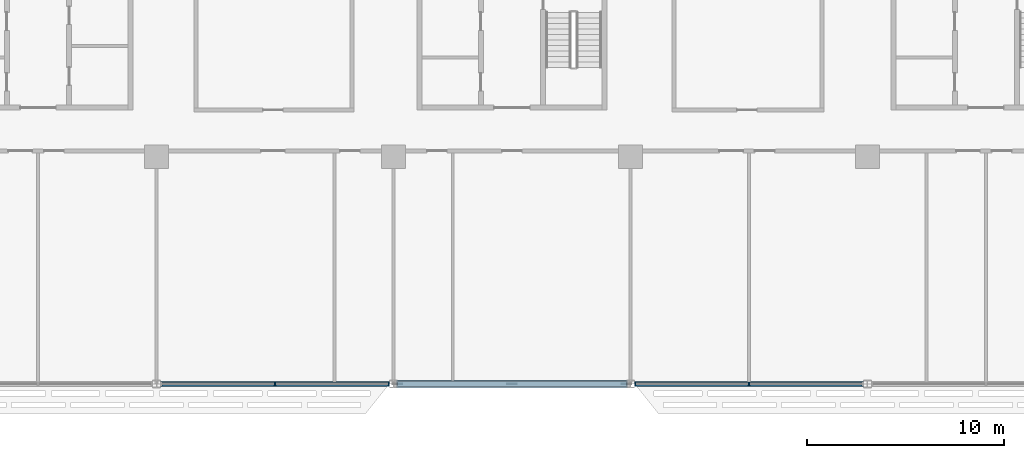
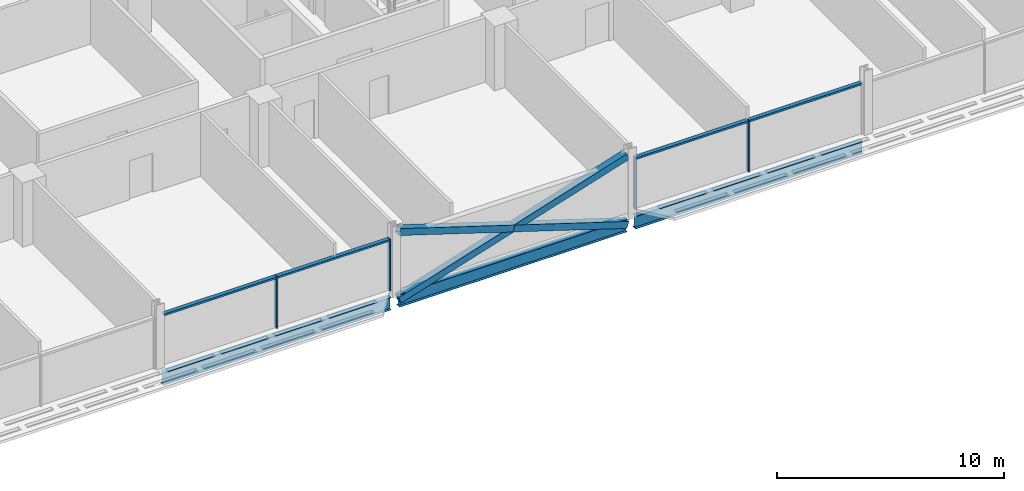
# One storey, part 5 of 27: 11 members, 3 beams, 2 elements without a shape of their own.
"""IFC4 building model written with IfcOpenShell, lengths in metres."""

import ifcopenshell
import ifcopenshell.guid

model = None  # the IFC model being written
_history = None  # IfcOwnerHistory: only IFC2X3 demands one
_inside = {}  # id of a spatial element -> (the spatial element, [elements in it])
_under = {}  # id of a project, library or spatial element -> (it, [spatial elements below it])
_declared = {}  # id of a project -> (the project, [libraries it declares])
_typed = {}  # id of a type object -> (the type object, [elements of that type])
_made_of = {}  # id of a material, layer set ... -> (it, [elements and type objects made of it])


def new_model(schema):
    """Start an empty IFC model of exactly this schema.

    Asked for "IFC4X3", IfcOpenShell would pick the latest addendum, in which some entities
    have other attributes; the version numbers below select the first issue.
    IFC2X3 requires an IfcOwnerHistory on every rooted entity: one is made here for all.
    """
    global model, _history
    if schema == "IFC4X3":
        model = ifcopenshell.file(schema_version=(4, 3, 0, 0))
    else:
        model = ifcopenshell.file(schema=schema)
    _inside.clear()
    _under.clear()
    _declared.clear()
    _typed.clear()
    _made_of.clear()
    _history = None
    if model.schema == "IFC2X3":
        org = make("IfcOrganization", Name="unknown")
        user = make(
            "IfcPersonAndOrganization",
            ThePerson=make("IfcPerson", FamilyName="unknown"),
            TheOrganization=org,
        )
        app = make(
            "IfcApplication",
            ApplicationDeveloper=org,
            Version="unknown",
            ApplicationFullName="unknown",
            ApplicationIdentifier="unknown",
        )
        _history = make(
            "IfcOwnerHistory",
            OwningUser=user,
            OwningApplication=app,
            ChangeAction="ADDED",
            CreationDate=0,
        )
    return model


def make(cls, **values):
    """One entity of the class cls with the attributes given. An attribute that is None is left unset."""
    return model.create_entity(
        cls, **{name: value for name, value in values.items() if value is not None}
    )


def rooted(cls, **values):
    """An entity with a GlobalId (a new one), such as an element, a storey or a relation."""
    return make(cls, GlobalId=ifcopenshell.guid.new(), OwnerHistory=_history, **values)


def si_unit(unit_type, name, prefix=None):
    """IfcSIUnit, for example si_unit("LENGTHUNIT", "METRE", prefix="MILLI")."""
    return make("IfcSIUnit", UnitType=unit_type, Prefix=prefix, Name=name)


def assignment(units):
    """IfcUnitAssignment: the units of a project."""
    return None if units is None else make("IfcUnitAssignment", Units=units)


def point(xyz):
    """IfcCartesianPoint."""
    return None if xyz is None else make("IfcCartesianPoint", Coordinates=xyz)


def direction(xyz):
    """IfcDirection."""
    return None if xyz is None else make("IfcDirection", DirectionRatios=xyz)


def frame(location, z_axis=None, x_axis=None):
    """IfcAxis2Placement3D, a coordinate frame: its origin and axes. An axis left out is left unset."""
    return make(
        "IfcAxis2Placement3D",
        Location=point(location),
        Axis=direction(z_axis),
        RefDirection=direction(x_axis),
    )


def frame_2d(location, x_axis=None):
    """IfcAxis2Placement2D, a coordinate frame in the plane: its origin and x axis."""
    return make(
        "IfcAxis2Placement2D", Location=point(location), RefDirection=direction(x_axis)
    )


def origin():
    """The frame at (0, 0, 0) with its axes left unset."""
    return frame((0.0, 0.0, 0.0))


def origin_2d():
    """The frame at (0, 0) in the plane with its x axis left unset."""
    return frame_2d((0.0, 0.0))


def place(relative_to, where):
    """IfcLocalPlacement: puts the frame where relative to a parent placement (None: the world)."""
    return make(
        "IfcLocalPlacement", PlacementRelTo=relative_to, RelativePlacement=where
    )


def context(
    kind, dimensions, precision=None, world=None, true_north=None, identifier=None
):
    """IfcGeometricRepresentationContext, for example the 3D "Model" context."""
    return make(
        "IfcGeometricRepresentationContext",
        ContextIdentifier=identifier,
        ContextType=kind,
        CoordinateSpaceDimension=dimensions,
        Precision=precision,
        WorldCoordinateSystem=world,
        TrueNorth=true_north,
    )


def subcontext(parent, identifier, kind, view, scale=None):
    """IfcGeometricRepresentationSubContext, for example "Body" below "Model"."""
    return make(
        "IfcGeometricRepresentationSubContext",
        ContextIdentifier=identifier,
        ContextType=kind,
        ParentContext=parent,
        TargetScale=scale,
        TargetView=view,
    )


def project(units=None, contexts=None):
    """IfcProject with its units and contexts."""
    return rooted(
        "IfcProject",
        Name="project",
        RepresentationContexts=contexts,
        UnitsInContext=assignment(units),
    )


def spatial(cls, under=None, at=None, **own):
    """A site, building, storey or space (cls), placed at a placement, below another one or the project."""
    s = rooted(cls, ObjectPlacement=at, **own)
    if under is not None:
        _under.setdefault(under.id(), (under, []))[1].append(s)
    return s


def profile(cls, at=None, kind="AREA", **sizes):
    """A parametric profile (cls). Its sizes go by their IFC names, for example OverallWidth=200.0."""
    return make(cls, ProfileType=kind, Position=at, **sizes)


def rectangle(**sizes):
    """IfcRectangleProfileDef."""
    return profile("IfcRectangleProfileDef", **sizes)


def hollow_rectangle(**sizes):
    """IfcRectangleHollowProfileDef."""
    return profile("IfcRectangleHollowProfileDef", **sizes)


def i_section(**sizes):
    """IfcIShapeProfileDef."""
    return profile("IfcIShapeProfileDef", **sizes)


def extrude(swept, where, along, depth):
    """IfcExtrudedAreaSolid: the profile swept, set in the frame where, extruded along a direction by depth."""
    return make(
        "IfcExtrudedAreaSolid",
        SweptArea=swept,
        Position=where,
        ExtrudedDirection=direction(along),
        Depth=depth,
    )


def shape(context_of_items, identifier, shape_type, items):
    """IfcShapeRepresentation: the items that make up one representation, for example the "Body"."""
    return make(
        "IfcShapeRepresentation",
        ContextOfItems=context_of_items,
        RepresentationIdentifier=identifier,
        RepresentationType=shape_type,
        Items=items,
    )


def material(Name=None, Category=None):
    """IfcMaterial."""
    return make("IfcMaterial", Name=Name, Category=Category)


def material_profile(
    of_material, cross_section, Name=None, Category=None, Priority=None
):
    """IfcMaterialProfile: a cross section and its material."""
    return make(
        "IfcMaterialProfile",
        Name=Name,
        Material=of_material,
        Profile=cross_section,
        Priority=Priority,
        Category=Category,
    )


def profile_set(profiles, Name=None, composite=None):
    """IfcMaterialProfileSet."""
    return make(
        "IfcMaterialProfileSet",
        Name=Name,
        MaterialProfiles=profiles,
        CompositeProfile=composite,
    )


def made_of(thing, what):
    """Note that an element or type object is made of a material, layer set ...; save() writes the relation."""
    if what is not None:
        _made_of.setdefault(what.id(), (what, []))[1].append(thing)
    return thing


def type_object(cls, material=None, **own):
    """A type object (cls), such as IfcWallType, which elements share."""
    return made_of(rooted(cls, **own), material)


def element(
    cls,
    number,
    at=None,
    inside=None,
    cuts=None,
    type_object=None,
    material=None,
    context=None,
    identifier="Body",
    shape_type=None,
    held_by="IfcProductDefinitionShape",
    body=None,
    shapes=None,
    **own,
):
    """One element of the class cls, such as IfcWall. Its Tag is "e" and its number.

    at: its placement. inside: the storey or other place that contains it. cuts: it is an
    opening in that element (IfcRelVoidsElement). A single representation is given by context,
    identifier, shape_type and body (its items); several are given by shapes. held_by: the class
    of the entity that holds the representations. save() writes the other relations.
    """
    e = rooted(cls, Tag="e%d" % number, ObjectPlacement=at, **own)
    if body is not None:
        shapes = [shape(context, identifier, shape_type, body)]
    if shapes is not None:
        e.Representation = make(held_by, Representations=shapes)
    if inside is not None:
        _inside.setdefault(inside.id(), (inside, []))[1].append(e)
    if cuts is not None:
        rooted(
            "IfcRelVoidsElement", RelatingBuildingElement=cuts, RelatedOpeningElement=e
        )
    if type_object is not None:
        _typed.setdefault(type_object.id(), (type_object, []))[1].append(e)
    return made_of(e, material)


def aggregate(whole, parts):
    """IfcRelAggregates: a whole, such as a stair, and the parts it consists of."""
    return rooted("IfcRelAggregates", RelatingObject=whole, RelatedObjects=parts)


def save(model, path):
    """Write the relations noted so far, then the file.

    IfcRelAggregates (storeys below a building ...), IfcRelContainedInSpatialStructure (elements
    in a storey), IfcRelDefinesByType, IfcRelAssociatesMaterial and IfcRelDeclares: one each for
    every whole, place, type object, material and project.
    """
    for whole, parts in _under.values():
        aggregate(whole, parts)
    for where, things in _inside.values():
        rooted(
            "IfcRelContainedInSpatialStructure",
            RelatedElements=things,
            RelatingStructure=where,
        )
    for kind, things in _typed.values():
        rooted("IfcRelDefinesByType", RelatedObjects=things, RelatingType=kind)
    for what, things in _made_of.values():
        rooted("IfcRelAssociatesMaterial", RelatedObjects=things, RelatingMaterial=what)
    for by, libraries in _declared.values():
        rooted("IfcRelDeclares", RelatingContext=by, RelatedDefinitions=libraries)
    model.write(path)


model = new_model("IFC4")

# Units and contexts
model_context = context("Model", 3, precision=1e-05, world=origin(), true_north=direction((0.0, 1.0)))
body_context = subcontext(model_context, "Body", "Model", "MODEL_VIEW")
ifc_project = project(units=[si_unit("LENGTHUNIT", "METRE"), si_unit("AREAUNIT", "SQUARE_METRE"), si_unit("VOLUMEUNIT", "CUBIC_METRE"), si_unit("PLANEANGLEUNIT", "RADIAN"), si_unit("MASSUNIT", "GRAM", prefix="KILO")], contexts=[model_context])

# Site, building, storey
site_placement = place(None, origin())
site = spatial("IfcSite", under=ifc_project, at=site_placement, CompositionType="ELEMENT")
building_placement = place(site_placement, origin())
building = spatial("IfcBuilding", under=site, at=building_placement, Name="Mahtab Terrace Research Tower", CompositionType="ELEMENT")
storey_placement = place(building_placement, frame((0.0, 0.0, 178.199951171875)))
storey = spatial("IfcBuildingStorey", under=building, at=storey_placement, Name="L42", CompositionType="ELEMENT", Elevation=178.199951171875)

# Members
ifc_material_1 = material(Name="Steel ASTM A500 Gr C", Category="steel")
ifc_material_profile_1 = material_profile(ifc_material_1, hollow_rectangle(XDim=0.355712890625, YDim=0.355712890625, WallThickness=0.015869140625, at=origin_2d()), Name="HSS14X14X5/8")
ifc_profile_set_1 = profile_set([ifc_material_profile_1], Name="Steel ASTM A500 Gr C")
member_type_1 = type_object("IfcMemberType", Name="HSS 14x14x5/8 brace XB141458", PredefinedType="BRACE", material=ifc_profile_set_1)
member_1_placement = place(storey_placement, frame((-5.796875, -23.0, -0.61474609375), z_axis=(0.953341454971, 0.0, 0.301894137463), x_axis=(0.0, 1.0, 0.0)))
element("IfcMember", 1, at=member_1_placement, inside=storey, type_object=member_type_1, Name="Exoskeleton brace L42 15 a", PredefinedType="BRACE", context=body_context, shape_type="SweptSolid", body=[
    extrude(hollow_rectangle(XDim=0.355712890625, YDim=0.355712890625, WallThickness=0.015869140625, at=origin_2d()), origin(), (0.0, 0.0, 1.0), 12.1611328125),
])
for number, where, z_axis, x_axis, name in (
    (2, (5.796875, -23.0, -0.61474609375), (-0.953341454971, 0.0, 0.301894137463), (0.0, -1.0, 0.0), "Exoskeleton brace L42 15 b1"),
    (3, (0.0, -23.0, 1.220947265625), (-0.953341454971, 0.0, 0.301894137463), (0.0, -1.0, 0.0), "Exoskeleton brace L42 15 b2"),
):
    element("IfcMember", number, at=place(storey_placement, frame(where, z_axis=z_axis, x_axis=x_axis)), inside=storey, type_object=member_type_1, Name=name, PredefinedType="BRACE", context=body_context, shape_type="SweptSolid", body=[
        extrude(hollow_rectangle(XDim=0.355712890625, YDim=0.355712890625, WallThickness=0.015869140625, at=origin_2d()), origin(), (0.0, 0.0, 1.0), 6.08056640625),
    ])

# Curtain wall, members
ifc_material_2 = material(Name="Laboratory ribbon curtain wall")
curtain_wall_type = type_object("IfcCurtainWallType", Name="Laboratory ribbon curtain wall", PredefinedType="NOTDEFINED", material=ifc_material_2)
curtain_wall_1_placement = place(storey_placement, origin())
curtain_wall_1 = element("IfcCurtainWall", 4, at=curtain_wall_1_placement, inside=storey, type_object=curtain_wall_type, Name="EN.L42.13.25", PredefinedType="NOTDEFINED")
ifc_material_3 = material(Name="Natural anodised aluminium", Category="aluminium")
ifc_material_profile_2 = material_profile(ifc_material_3, rectangle(XDim=0.199951171875, YDim=0.06494140625, at=origin_2d()), Name="MULLION 65x200")
ifc_profile_set_2 = profile_set([ifc_material_profile_2], Name="Natural anodised aluminium")
member_type_2 = type_object("IfcMemberType", Name="Laboratory ribbon curtain wall mullion", PredefinedType="MULLION", material=ifc_profile_set_2)
member_2_placement = place(storey_placement, frame((-12.0, -23.0, 0.0), z_axis=(0.0, 0.0, 1.0), x_axis=(0.0, 1.0, 0.0)))
member_2 = element("IfcMember", 5, at=member_2_placement, type_object=member_type_2, Name="CWL-5 mullion 2", PredefinedType="MULLION", context=body_context, shape_type="SweptSolid", body=[
    extrude(rectangle(XDim=0.199951171875, YDim=0.06494140625, at=origin_2d()), origin(), (0.0, 0.0, 1.0), 2.78173828125),
])
member_3_placement = place(storey_placement, frame((-6.240478515625, -23.0, 0.0), z_axis=(0.0, 0.0, 1.0), x_axis=(0.0, 1.0, 0.0)))
member_3 = element("IfcMember", 6, at=member_3_placement, type_object=member_type_2, Name="CWL-5 mullion 3", PredefinedType="MULLION", context=body_context, shape_type="SweptSolid", body=[
    extrude(rectangle(XDim=0.199951171875, YDim=0.06494140625, at=origin_2d()), origin(), (0.0, 0.0, 1.0), 2.78173828125),
])

curtain_wall_2_placement = place(storey_placement, origin())
curtain_wall_2 = element("IfcCurtainWall", 7, at=curtain_wall_2_placement, inside=storey, type_object=curtain_wall_type, Name="EN.L42.13.27", PredefinedType="NOTDEFINED")
member_4_placement = place(storey_placement, frame((6.240478515625, -23.0, 0.0), z_axis=(0.0, 0.0, 1.0), x_axis=(0.0, 1.0, 0.0)))
member_4 = element("IfcMember", 8, at=member_4_placement, type_object=member_type_2, Name="CWL-5 mullion 1", PredefinedType="MULLION", context=body_context, shape_type="SweptSolid", body=[
    extrude(rectangle(XDim=0.199951171875, YDim=0.06494140625, at=origin_2d()), origin(), (0.0, 0.0, 1.0), 2.78173828125),
])
member_5_placement = place(storey_placement, frame((12.0, -23.0, 0.0), z_axis=(0.0, 0.0, 1.0), x_axis=(0.0, 1.0, 0.0)))
member_5 = element("IfcMember", 9, at=member_5_placement, type_object=member_type_2, Name="CWL-5 mullion 2", PredefinedType="MULLION", context=body_context, shape_type="SweptSolid", body=[
    extrude(rectangle(XDim=0.199951171875, YDim=0.06494140625, at=origin_2d()), origin(), (0.0, 0.0, 1.0), 2.78173828125),
])

# Member
ifc_material_profile_3 = material_profile(ifc_material_3, rectangle(XDim=0.199951171875, YDim=0.10009765625, at=origin_2d()), Name="TRANSOM 100x200")
ifc_profile_set_3 = profile_set([ifc_material_profile_3], Name="Natural anodised aluminium")
member_type_3 = type_object("IfcMemberType", Name="Laboratory ribbon curtain wall transom", PredefinedType="USERDEFINED", material=ifc_profile_set_3)
member_6_placement = place(storey_placement, frame((-17.72705078125, -23.0, 2.73193359375), z_axis=(1.0, 0.0, 0.0), x_axis=(0.0, 1.0, 0.0)))
member_6 = element("IfcMember", 10, at=member_6_placement, type_object=member_type_3, Name="CWL-5 transom 1", ObjectType="TRANSOM", PredefinedType="USERDEFINED", context=body_context, shape_type="SweptSolid", body=[
    extrude(rectangle(XDim=0.199951171875, YDim=0.10009765625, at=origin_2d()), origin(), (0.0, 0.0, 1.0), 5.694580078125),
])

member_7_placement = place(storey_placement, frame((-11.967529296875, -23.0, 2.73193359375), z_axis=(1.0, 0.0, 0.0), x_axis=(0.0, 1.0, 0.0)))
member_7 = element("IfcMember", 11, at=member_7_placement, type_object=member_type_3, Name="CWL-5 transom 2", ObjectType="TRANSOM", PredefinedType="USERDEFINED", context=body_context, shape_type="SweptSolid", body=[
    extrude(rectangle(XDim=0.199951171875, YDim=0.10009765625, at=origin_2d()), origin(), (0.0, 0.0, 1.0), 5.694580078125),
])

aggregate(curtain_wall_1, [member_2, member_3, member_6, member_7])

member_8_placement = place(storey_placement, frame((6.27294921875, -23.0, 2.73193359375), z_axis=(1.0, 0.0, 0.0), x_axis=(0.0, 1.0, 0.0)))
member_8 = element("IfcMember", 12, at=member_8_placement, type_object=member_type_3, Name="CWL-5 transom 1", ObjectType="TRANSOM", PredefinedType="USERDEFINED", context=body_context, shape_type="SweptSolid", body=[
    extrude(rectangle(XDim=0.199951171875, YDim=0.10009765625, at=origin_2d()), origin(), (0.0, 0.0, 1.0), 5.694580078125),
])

member_9_placement = place(storey_placement, frame((12.032470703125, -23.0, 2.73193359375), z_axis=(1.0, 0.0, 0.0), x_axis=(0.0, 1.0, 0.0)))
member_9 = element("IfcMember", 13, at=member_9_placement, type_object=member_type_3, Name="CWL-5 transom 2", ObjectType="TRANSOM", PredefinedType="USERDEFINED", context=body_context, shape_type="SweptSolid", body=[
    extrude(rectangle(XDim=0.199951171875, YDim=0.10009765625, at=origin_2d()), origin(), (0.0, 0.0, 1.0), 5.694580078125),
])

aggregate(curtain_wall_2, [member_4, member_5, member_8, member_9])

# Beams
ifc_material_4 = material(Name="Steel ASTM A992 Gr 50", Category="steel")
ifc_material_profile_4 = material_profile(ifc_material_4, i_section(OverallWidth=0.25390625, OverallDepth=0.67822265625, WebThickness=0.01171875, FlangeThickness=0.016357421875, at=origin_2d()), Name="W27X84")
ifc_profile_set_4 = profile_set([ifc_material_profile_4], Name="Steel ASTM A992 Gr 50")
beam_type = type_object("IfcBeamType", Name="W27x84 beam BS2784", PredefinedType="BEAM", material=ifc_profile_set_4)
for number, where, z_axis, x_axis, name in (
    (14, (-17.796875, -23.0, -0.678955078125), (1.0, 0.0, 0.0), (0.0, 1.0, 0.0), "Spandrel beam L42 14"),
    (15, (-5.796875, -23.0, -0.678955078125), (1.0, 0.0, 0.0), (0.0, 1.0, 0.0), "Spandrel beam L42 15"),
    (16, (6.203125, -23.0, -0.678955078125), (1.0, 0.0, 0.0), (0.0, 1.0, 0.0), "Spandrel beam L42 16"),
):
    element("IfcBeam", number, at=place(storey_placement, frame(where, z_axis=z_axis, x_axis=x_axis)), inside=storey, type_object=beam_type, Name=name, PredefinedType="BEAM", context=body_context, shape_type="SweptSolid", body=[
        extrude(i_section(OverallWidth=0.25390625, OverallDepth=0.67822265625, WebThickness=0.01171875, FlangeThickness=0.016357421875, at=origin_2d()), origin(), (0.0, 0.0, 1.0), 11.59375),
    ])

save(model, "model.ifc")
